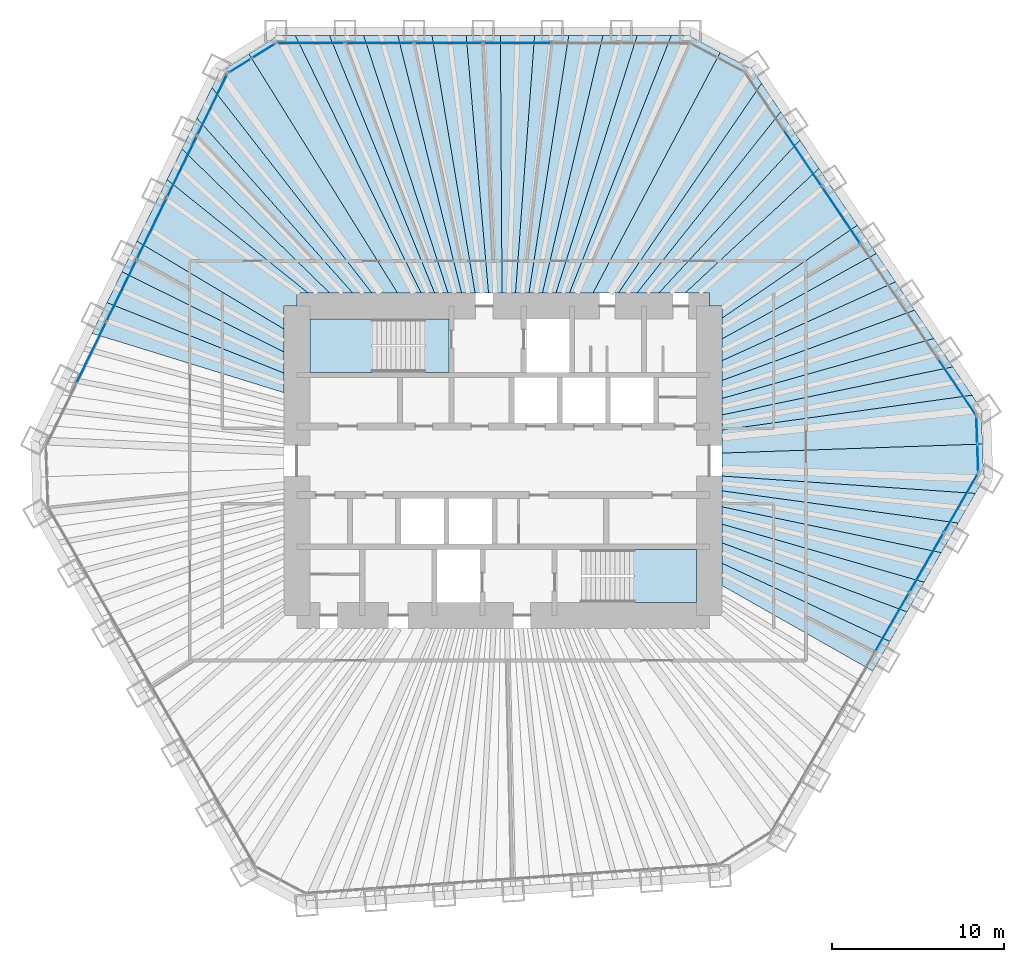
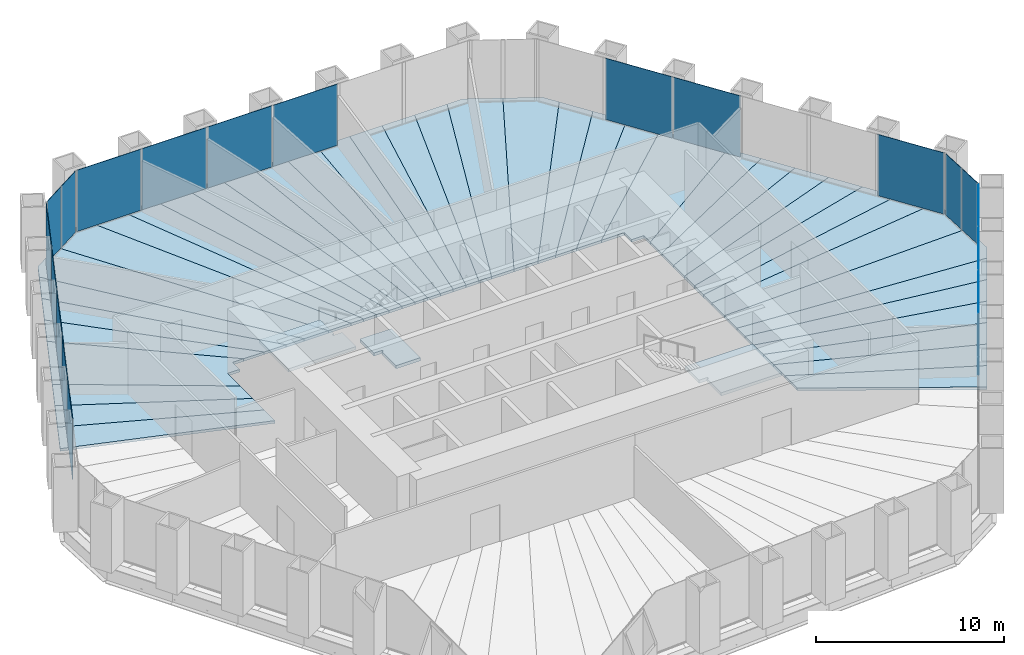
# One storey, part 9 of 13: 43 slabs, 19 plates, 8 elements without a shape of their own.
"""IFC4 building model written with IfcOpenShell, lengths in metres."""

import ifcopenshell
import ifcopenshell.guid

model = None  # the IFC model being written
_history = None  # IfcOwnerHistory: only IFC2X3 demands one
_inside = {}  # id of a spatial element -> (the spatial element, [elements in it])
_under = {}  # id of a project, library or spatial element -> (it, [spatial elements below it])
_declared = {}  # id of a project -> (the project, [libraries it declares])
_typed = {}  # id of a type object -> (the type object, [elements of that type])
_made_of = {}  # id of a material, layer set ... -> (it, [elements and type objects made of it])


def new_model(schema):
    """Start an empty IFC model of exactly this schema.

    Asked for "IFC4X3", IfcOpenShell would pick the latest addendum, in which some entities
    have other attributes; the version numbers below select the first issue.
    IFC2X3 requires an IfcOwnerHistory on every rooted entity: one is made here for all.
    """
    global model, _history
    if schema == "IFC4X3":
        model = ifcopenshell.file(schema_version=(4, 3, 0, 0))
    else:
        model = ifcopenshell.file(schema=schema)
    _inside.clear()
    _under.clear()
    _declared.clear()
    _typed.clear()
    _made_of.clear()
    _history = None
    if model.schema == "IFC2X3":
        org = make("IfcOrganization", Name="unknown")
        user = make(
            "IfcPersonAndOrganization",
            ThePerson=make("IfcPerson", FamilyName="unknown"),
            TheOrganization=org,
        )
        app = make(
            "IfcApplication",
            ApplicationDeveloper=org,
            Version="unknown",
            ApplicationFullName="unknown",
            ApplicationIdentifier="unknown",
        )
        _history = make(
            "IfcOwnerHistory",
            OwningUser=user,
            OwningApplication=app,
            ChangeAction="ADDED",
            CreationDate=0,
        )
    return model


def make(cls, **values):
    """One entity of the class cls with the attributes given. An attribute that is None is left unset."""
    return model.create_entity(
        cls, **{name: value for name, value in values.items() if value is not None}
    )


def rooted(cls, **values):
    """An entity with a GlobalId (a new one), such as an element, a storey or a relation."""
    return make(cls, GlobalId=ifcopenshell.guid.new(), OwnerHistory=_history, **values)


def si_unit(unit_type, name, prefix=None):
    """IfcSIUnit, for example si_unit("LENGTHUNIT", "METRE", prefix="MILLI")."""
    return make("IfcSIUnit", UnitType=unit_type, Prefix=prefix, Name=name)


def assignment(units):
    """IfcUnitAssignment: the units of a project."""
    return None if units is None else make("IfcUnitAssignment", Units=units)


def point(xyz):
    """IfcCartesianPoint."""
    return None if xyz is None else make("IfcCartesianPoint", Coordinates=xyz)


def direction(xyz):
    """IfcDirection."""
    return None if xyz is None else make("IfcDirection", DirectionRatios=xyz)


def frame(location, z_axis=None, x_axis=None):
    """IfcAxis2Placement3D, a coordinate frame: its origin and axes. An axis left out is left unset."""
    return make(
        "IfcAxis2Placement3D",
        Location=point(location),
        Axis=direction(z_axis),
        RefDirection=direction(x_axis),
    )


def frame_2d(location, x_axis=None):
    """IfcAxis2Placement2D, a coordinate frame in the plane: its origin and x axis."""
    return make(
        "IfcAxis2Placement2D", Location=point(location), RefDirection=direction(x_axis)
    )


def origin():
    """The frame at (0, 0, 0) with its axes left unset."""
    return frame((0.0, 0.0, 0.0))


def origin_2d():
    """The frame at (0, 0) in the plane with its x axis left unset."""
    return frame_2d((0.0, 0.0))


def place(relative_to, where):
    """IfcLocalPlacement: puts the frame where relative to a parent placement (None: the world)."""
    return make(
        "IfcLocalPlacement", PlacementRelTo=relative_to, RelativePlacement=where
    )


def context(
    kind, dimensions, precision=None, world=None, true_north=None, identifier=None
):
    """IfcGeometricRepresentationContext, for example the 3D "Model" context."""
    return make(
        "IfcGeometricRepresentationContext",
        ContextIdentifier=identifier,
        ContextType=kind,
        CoordinateSpaceDimension=dimensions,
        Precision=precision,
        WorldCoordinateSystem=world,
        TrueNorth=true_north,
    )


def subcontext(parent, identifier, kind, view, scale=None):
    """IfcGeometricRepresentationSubContext, for example "Body" below "Model"."""
    return make(
        "IfcGeometricRepresentationSubContext",
        ContextIdentifier=identifier,
        ContextType=kind,
        ParentContext=parent,
        TargetScale=scale,
        TargetView=view,
    )


def project(units=None, contexts=None):
    """IfcProject with its units and contexts."""
    return rooted(
        "IfcProject",
        Name="project",
        RepresentationContexts=contexts,
        UnitsInContext=assignment(units),
    )


def spatial(cls, under=None, at=None, **own):
    """A site, building, storey or space (cls), placed at a placement, below another one or the project."""
    s = rooted(cls, ObjectPlacement=at, **own)
    if under is not None:
        _under.setdefault(under.id(), (under, []))[1].append(s)
    return s


def polyline(points):
    """IfcPolyline through the points."""
    return make("IfcPolyline", Points=[point(p) for p in points])


def profile(cls, at=None, kind="AREA", **sizes):
    """A parametric profile (cls). Its sizes go by their IFC names, for example OverallWidth=200.0."""
    return make(cls, ProfileType=kind, Position=at, **sizes)


def rectangle(**sizes):
    """IfcRectangleProfileDef."""
    return profile("IfcRectangleProfileDef", **sizes)


def outline(outer, holes=None, kind="AREA"):
    """IfcArbitraryClosedProfileDef: a profile drawn as a closed curve; with holes, ...WithVoids."""
    if holes is None:
        return make("IfcArbitraryClosedProfileDef", ProfileType=kind, OuterCurve=outer)
    return make(
        "IfcArbitraryProfileDefWithVoids",
        ProfileType=kind,
        OuterCurve=outer,
        InnerCurves=holes,
    )


def extrude(swept, where, along, depth):
    """IfcExtrudedAreaSolid: the profile swept, set in the frame where, extruded along a direction by depth."""
    return make(
        "IfcExtrudedAreaSolid",
        SweptArea=swept,
        Position=where,
        ExtrudedDirection=direction(along),
        Depth=depth,
    )


def shape(context_of_items, identifier, shape_type, items):
    """IfcShapeRepresentation: the items that make up one representation, for example the "Body"."""
    return make(
        "IfcShapeRepresentation",
        ContextOfItems=context_of_items,
        RepresentationIdentifier=identifier,
        RepresentationType=shape_type,
        Items=items,
    )


def material(Name=None, Category=None):
    """IfcMaterial."""
    return make("IfcMaterial", Name=Name, Category=Category)


def layer(
    of_material, thickness, ventilated=None, Name=None, Category=None, Priority=None
):
    """IfcMaterialLayer: one layer of a wall or slab, of a material (None: an air gap)."""
    return make(
        "IfcMaterialLayer",
        Material=of_material,
        LayerThickness=thickness,
        IsVentilated=ventilated,
        Name=Name,
        Category=Category,
        Priority=Priority,
    )


def layer_set(layers, Name=None):
    """IfcMaterialLayerSet."""
    return make("IfcMaterialLayerSet", MaterialLayers=layers, LayerSetName=Name)


def made_of(thing, what):
    """Note that an element or type object is made of a material, layer set ...; save() writes the relation."""
    if what is not None:
        _made_of.setdefault(what.id(), (what, []))[1].append(thing)
    return thing


def type_object(cls, material=None, **own):
    """A type object (cls), such as IfcWallType, which elements share."""
    return made_of(rooted(cls, **own), material)


def element(
    cls,
    number,
    at=None,
    inside=None,
    cuts=None,
    type_object=None,
    material=None,
    context=None,
    identifier="Body",
    shape_type=None,
    held_by="IfcProductDefinitionShape",
    body=None,
    shapes=None,
    **own,
):
    """One element of the class cls, such as IfcWall. Its Tag is "e" and its number.

    at: its placement. inside: the storey or other place that contains it. cuts: it is an
    opening in that element (IfcRelVoidsElement). A single representation is given by context,
    identifier, shape_type and body (its items); several are given by shapes. held_by: the class
    of the entity that holds the representations. save() writes the other relations.
    """
    e = rooted(cls, Tag="e%d" % number, ObjectPlacement=at, **own)
    if body is not None:
        shapes = [shape(context, identifier, shape_type, body)]
    if shapes is not None:
        e.Representation = make(held_by, Representations=shapes)
    if inside is not None:
        _inside.setdefault(inside.id(), (inside, []))[1].append(e)
    if cuts is not None:
        rooted(
            "IfcRelVoidsElement", RelatingBuildingElement=cuts, RelatedOpeningElement=e
        )
    if type_object is not None:
        _typed.setdefault(type_object.id(), (type_object, []))[1].append(e)
    return made_of(e, material)


def aggregate(whole, parts):
    """IfcRelAggregates: a whole, such as a stair, and the parts it consists of."""
    return rooted("IfcRelAggregates", RelatingObject=whole, RelatedObjects=parts)


def save(model, path):
    """Write the relations noted so far, then the file.

    IfcRelAggregates (storeys below a building ...), IfcRelContainedInSpatialStructure (elements
    in a storey), IfcRelDefinesByType, IfcRelAssociatesMaterial and IfcRelDeclares: one each for
    every whole, place, type object, material and project.
    """
    for whole, parts in _under.values():
        aggregate(whole, parts)
    for where, things in _inside.values():
        rooted(
            "IfcRelContainedInSpatialStructure",
            RelatedElements=things,
            RelatingStructure=where,
        )
    for kind, things in _typed.values():
        rooted("IfcRelDefinesByType", RelatedObjects=things, RelatingType=kind)
    for what, things in _made_of.values():
        rooted("IfcRelAssociatesMaterial", RelatedObjects=things, RelatingMaterial=what)
    for by, libraries in _declared.values():
        rooted("IfcRelDeclares", RelatingContext=by, RelatedDefinitions=libraries)
    model.write(path)


model = new_model("IFC4")

# Units and contexts
model_context = context("Model", 3, precision=1e-05, world=origin(), true_north=direction((0.0, 1.0)))
body_context = subcontext(model_context, "Body", "Model", "MODEL_VIEW")
ifc_project = project(units=[si_unit("LENGTHUNIT", "METRE"), si_unit("AREAUNIT", "SQUARE_METRE"), si_unit("VOLUMEUNIT", "CUBIC_METRE"), si_unit("PLANEANGLEUNIT", "RADIAN"), si_unit("MASSUNIT", "GRAM", prefix="KILO")], contexts=[model_context])

# Site, building, storey
site_placement = place(None, origin())
site = spatial("IfcSite", under=ifc_project, at=site_placement, CompositionType="ELEMENT")
building_placement = place(site_placement, origin())
building = spatial("IfcBuilding", under=site, at=building_placement, Name="Qingtian Harvest Tower", CompositionType="ELEMENT")
storey_placement = place(building_placement, frame((0.0, 0.0, 136.60009765625)))
storey = spatial("IfcBuildingStorey", under=building, at=storey_placement, Name="L28", CompositionType="ELEMENT", Elevation=136.60009765625)

# Slabs
ifc_material_1 = material(Name="Concrete fc' 35 MPa", Category="concrete")
ifc_layer_1 = layer(ifc_material_1, 0.169921875)
ifc_layer_set_1 = layer_set([ifc_layer_1], Name="Composite floor slab FS17 170")
slab_type_1 = type_object("IfcSlabType", Name="Composite floor slab FS17 170", PredefinedType="FLOOR", material=ifc_layer_set_1)
slab_1_placement = place(storey_placement, frame((0.0, 0.0, -0.170166015625)))
element("IfcSlab", 1, at=slab_1_placement, inside=storey, type_object=slab_type_1, Name="Floor slab L28 panel D33", PredefinedType="FLOOR", context=body_context, shape_type="SweptSolid", body=[
    extrude(outline(polyline([(12.75, -5.97021484375), (22.51220703125, -10.517578125), (21.517333984375, -12.24072265625), (12.75, -7.268798828125), (12.75, -5.97021484375)])), origin(), (0.0, 0.0, 1.0), 0.170166015625),
])
slab_2_placement = place(storey_placement, frame((0.0, 0.0, -0.170166015625)))
element("IfcSlab", 2, at=slab_2_placement, inside=storey, type_object=slab_type_1, Name="Floor slab L28 panel D34", PredefinedType="FLOOR", context=body_context, shape_type="SweptSolid", body=[
    extrude(outline(polyline([(12.75, -4.78173828125), (23.50732421875, -8.794189453125), (22.51220703125, -10.517578125), (12.75, -5.97021484375), (12.75, -4.78173828125)])), origin(), (0.0, 0.0, 1.0), 0.170166015625),
])
slab_3_placement = place(storey_placement, frame((0.0, 0.0, -0.170166015625)))
element("IfcSlab", 3, at=slab_3_placement, inside=storey, type_object=slab_type_1, Name="Floor slab L28 panel D35", PredefinedType="FLOOR", context=body_context, shape_type="SweptSolid", body=[
    extrude(outline(polyline([(12.75, -3.68994140625), (24.502197265625, -7.071044921875), (23.50732421875, -8.794189453125), (12.75, -4.78173828125), (12.75, -3.68994140625)])), origin(), (0.0, 0.0, 1.0), 0.170166015625),
])
slab_4_placement = place(storey_placement, frame((0.0, 0.0, -0.170166015625)))
element("IfcSlab", 4, at=slab_4_placement, inside=storey, type_object=slab_type_1, Name="Floor slab L28 panel D36", PredefinedType="FLOOR", context=body_context, shape_type="SweptSolid", body=[
    extrude(outline(polyline([(12.75, -2.683349609375), (25.4970703125, -5.34765625), (24.502197265625, -7.071044921875), (12.75, -3.68994140625), (12.75, -2.683349609375)])), origin(), (0.0, 0.0, 1.0), 0.170166015625),
])
slab_5_placement = place(storey_placement, frame((0.0, 0.0, -0.170166015625)))
element("IfcSlab", 5, at=slab_5_placement, inside=storey, type_object=slab_type_1, Name="Floor slab L28 panel D37", PredefinedType="FLOOR", context=body_context, shape_type="SweptSolid", body=[
    extrude(outline(polyline([(12.75, -1.752685546875), (26.4921875, -3.624267578125), (25.4970703125, -5.34765625), (12.75, -2.683349609375), (12.75, -1.752685546875)])), origin(), (0.0, 0.0, 1.0), 0.170166015625),
])
slab_6_placement = place(storey_placement, frame((0.0, 0.0, -0.170166015625)))
element("IfcSlab", 6, at=slab_6_placement, inside=storey, type_object=slab_type_1, Name="Floor slab L28 panel D38", PredefinedType="FLOOR", context=body_context, shape_type="SweptSolid", body=[
    extrude(outline(polyline([(12.75, -0.889404296875), (27.487060546875, -1.901123046875), (26.4921875, -3.624267578125), (12.75, -1.752685546875), (12.75, -0.889404296875)])), origin(), (0.0, 0.0, 1.0), 0.170166015625),
])
slab_7_placement = place(storey_placement, frame((0.0, 0.0, -0.170166015625)))
element("IfcSlab", 7, at=slab_7_placement, inside=storey, type_object=slab_type_1, Name="Floor slab L28 panel D39", PredefinedType="FLOOR", context=body_context, shape_type="SweptSolid", body=[
    extrude(outline(polyline([(12.75, -0.889404296875), (12.75, 0.447509765625), (27.90185546875, 0.974365234375), (27.972900390625, -1.059814453125), (27.487060546875, -1.901123046875), (12.75, -0.889404296875)])), origin(), (0.0, 0.0, 1.0), 0.170166015625),
])
slab_8_placement = place(storey_placement, frame((0.0, 0.0, -0.170166015625)))
element("IfcSlab", 8, at=slab_8_placement, inside=storey, type_object=slab_type_1, Name="Floor slab L28 panel D40", PredefinedType="FLOOR", context=body_context, shape_type="SweptSolid", body=[
    extrude(outline(polyline([(12.75, 0.447509765625), (12.75, 1.79052734375), (27.287353515625, 3.81396484375), (27.830810546875, 3.008544921875), (27.90185546875, 0.974365234375), (12.75, 0.447509765625)])), origin(), (0.0, 0.0, 1.0), 0.170166015625),
])
slab_9_placement = place(storey_placement, frame((0.0, 0.0, -0.170166015625)))
element("IfcSlab", 9, at=slab_9_placement, inside=storey, type_object=slab_type_1, Name="Floor slab L28 panel D41", PredefinedType="FLOOR", context=body_context, shape_type="SweptSolid", body=[
    extrude(outline(polyline([(12.75, 2.671142578125), (26.1748046875, 5.463623046875), (27.287353515625, 3.81396484375), (12.75, 1.79052734375), (12.75, 2.671142578125)])), origin(), (0.0, 0.0, 1.0), 0.170166015625),
])
slab_10_placement = place(storey_placement, frame((0.0, 0.0, -0.170166015625)))
element("IfcSlab", 10, at=slab_10_placement, inside=storey, type_object=slab_type_1, Name="Floor slab L28 panel D42", PredefinedType="FLOOR", context=body_context, shape_type="SweptSolid", body=[
    extrude(outline(polyline([(12.75, 3.6298828125), (25.06201171875, 7.11328125), (26.1748046875, 5.463623046875), (12.75, 2.671142578125), (12.75, 3.6298828125)])), origin(), (0.0, 0.0, 1.0), 0.170166015625),
])
slab_11_placement = place(storey_placement, frame((0.0, 0.0, -0.170166015625)))
element("IfcSlab", 11, at=slab_11_placement, inside=storey, type_object=slab_type_1, Name="Floor slab L28 panel D43", PredefinedType="FLOOR", context=body_context, shape_type="SweptSolid", body=[
    extrude(outline(polyline([(12.75, 4.677734375), (23.94921875, 8.762939453125), (25.06201171875, 7.11328125), (12.75, 3.6298828125), (12.75, 4.677734375)])), origin(), (0.0, 0.0, 1.0), 0.170166015625),
])
slab_12_placement = place(storey_placement, frame((0.0, 0.0, -0.170166015625)))
element("IfcSlab", 12, at=slab_12_placement, inside=storey, type_object=slab_type_1, Name="Floor slab L28 panel D44", PredefinedType="FLOOR", context=body_context, shape_type="SweptSolid", body=[
    extrude(outline(polyline([(12.75, 5.828125), (22.83642578125, 10.41259765625), (23.94921875, 8.762939453125), (12.75, 4.677734375), (12.75, 5.828125)])), origin(), (0.0, 0.0, 1.0), 0.170166015625),
])
slab_13_placement = place(storey_placement, frame((0.0, 0.0, -0.170166015625)))
element("IfcSlab", 13, at=slab_13_placement, inside=storey, type_object=slab_type_1, Name="Floor slab L28 panel D45", PredefinedType="FLOOR", context=body_context, shape_type="SweptSolid", body=[
    extrude(outline(polyline([(12.75, 7.096435546875), (21.723876953125, 12.062255859375), (22.83642578125, 10.41259765625), (12.75, 5.828125), (12.75, 7.096435546875)])), origin(), (0.0, 0.0, 1.0), 0.170166015625),
])
slab_14_placement = place(storey_placement, frame((0.0, 0.0, -0.170166015625)))
element("IfcSlab", 14, at=slab_14_placement, inside=storey, type_object=slab_type_1, Name="Floor slab L28 panel D46", PredefinedType="FLOOR", context=body_context, shape_type="SweptSolid", body=[
    extrude(outline(polyline([(12.75, 8.30615234375), (20.61328125, 13.708740234375), (21.723876953125, 12.062255859375), (12.75, 7.096435546875), (12.75, 8.30615234375)])), origin(), (0.0, 0.0, 1.0), 0.170166015625),
])
slab_15_placement = place(storey_placement, frame((0.0, 0.0, -0.170166015625)))
element("IfcSlab", 15, at=slab_15_placement, inside=storey, type_object=slab_type_1, Name="Floor slab L28 panel D48", PredefinedType="FLOOR", context=body_context, shape_type="SweptSolid", body=[
    extrude(outline(polyline([(18.38623046875, 17.010498046875), (20.61328125, 13.708740234375), (12.75, 8.30615234375), (12.75, 9.0), (12.0, 9.0), (12.0, 9.75), (10.578369140625, 9.75), (18.38623046875, 17.010498046875)])), origin(), (0.0, 0.0, 1.0), 0.170166015625),
])
slab_16_placement = place(storey_placement, frame((0.0, 0.0, -0.170166015625)))
element("IfcSlab", 16, at=slab_16_placement, inside=storey, type_object=slab_type_1, Name="Floor slab L28 panel D49", PredefinedType="FLOOR", context=body_context, shape_type="SweptSolid", body=[
    extrude(outline(polyline([(9.0556640625, 9.75), (17.2734375, 18.66015625), (18.38623046875, 17.010498046875), (10.578369140625, 9.75), (9.0556640625, 9.75)])), origin(), (0.0, 0.0, 1.0), 0.170166015625),
])
slab_17_placement = place(storey_placement, frame((0.0, 0.0, -0.170166015625)))
element("IfcSlab", 17, at=slab_17_placement, inside=storey, type_object=slab_type_1, Name="Floor slab L28 panel D50", PredefinedType="FLOOR", context=body_context, shape_type="SweptSolid", body=[
    extrude(outline(polyline([(7.781494140625, 9.75), (16.16064453125, 20.31005859375), (17.2734375, 18.66015625), (9.0556640625, 9.75), (7.781494140625, 9.75)])), origin(), (0.0, 0.0, 1.0), 0.170166015625),
])
slab_18_placement = place(storey_placement, frame((0.0, 0.0, -0.170166015625)))
element("IfcSlab", 18, at=slab_18_placement, inside=storey, type_object=slab_type_1, Name="Floor slab L28 panel D51", PredefinedType="FLOOR", context=body_context, shape_type="SweptSolid", body=[
    extrude(outline(polyline([(6.69970703125, 9.75), (15.0478515625, 21.959716796875), (16.16064453125, 20.31005859375), (7.781494140625, 9.75), (6.69970703125, 9.75)])), origin(), (0.0, 0.0, 1.0), 0.170166015625),
])
slab_19_placement = place(storey_placement, frame((0.0, 0.0, -0.170166015625)))
element("IfcSlab", 19, at=slab_19_placement, inside=storey, type_object=slab_type_1, Name="Floor slab L28 panel D52", PredefinedType="FLOOR", context=body_context, shape_type="SweptSolid", body=[
    extrude(outline(polyline([(6.69970703125, 9.75), (5.224609375, 9.75), (12.634033203125, 23.759765625), (14.504638671875, 22.765380859375), (15.0478515625, 21.959716796875), (6.69970703125, 9.75)])), origin(), (0.0, 0.0, 1.0), 0.170166015625),
])
slab_20_placement = place(storey_placement, frame((0.0, 0.0, -0.170166015625)))
element("IfcSlab", 20, at=slab_20_placement, inside=storey, type_object=slab_type_1, Name="Floor slab L28 panel D53", PredefinedType="FLOOR", context=body_context, shape_type="SweptSolid", body=[
    extrude(outline(polyline([(3.856201171875, 9.75), (9.791015625, 24.7548828125), (10.762451171875, 24.7548828125), (12.634033203125, 23.759765625), (5.224609375, 9.75), (3.856201171875, 9.75)])), origin(), (0.0, 0.0, 1.0), 0.170166015625),
])
slab_21_placement = place(storey_placement, frame((0.0, 0.0, -0.170166015625)))
element("IfcSlab", 21, at=slab_21_placement, inside=storey, type_object=slab_type_1, Name="Floor slab L28 panel D54", PredefinedType="FLOOR", context=body_context, shape_type="SweptSolid", body=[
    extrude(outline(polyline([(3.072509765625, 9.75), (7.80126953125, 24.7548828125), (9.791015625, 24.7548828125), (3.856201171875, 9.75), (3.072509765625, 9.75)])), origin(), (0.0, 0.0, 1.0), 0.170166015625),
])
slab_22_placement = place(storey_placement, frame((0.0, 0.0, -0.170166015625)))
element("IfcSlab", 22, at=slab_22_placement, inside=storey, type_object=slab_type_1, Name="Floor slab L28 panel D55", PredefinedType="FLOOR", context=body_context, shape_type="SweptSolid", body=[
    extrude(outline(polyline([(2.288818359375, 9.75), (5.811279296875, 24.7548828125), (7.80126953125, 24.7548828125), (3.072509765625, 9.75), (2.288818359375, 9.75)])), origin(), (0.0, 0.0, 1.0), 0.170166015625),
])
slab_23_placement = place(storey_placement, frame((0.0, 0.0, -0.170166015625)))
element("IfcSlab", 23, at=slab_23_placement, inside=storey, type_object=slab_type_1, Name="Floor slab L28 panel D56", PredefinedType="FLOOR", context=body_context, shape_type="SweptSolid", body=[
    extrude(outline(polyline([(1.505126953125, 9.75), (3.821533203125, 24.7548828125), (5.811279296875, 24.7548828125), (2.288818359375, 9.75), (1.505126953125, 9.75)])), origin(), (0.0, 0.0, 1.0), 0.170166015625),
])
slab_24_placement = place(storey_placement, frame((0.0, 0.0, -0.170166015625)))
element("IfcSlab", 24, at=slab_24_placement, inside=storey, type_object=slab_type_1, Name="Floor slab L28 panel D57", PredefinedType="FLOOR", context=body_context, shape_type="SweptSolid", body=[
    extrude(outline(polyline([(0.721435546875, 9.75), (1.831787109375, 24.7548828125), (3.821533203125, 24.7548828125), (1.505126953125, 9.75), (0.721435546875, 9.75)])), origin(), (0.0, 0.0, 1.0), 0.170166015625),
])
slab_25_placement = place(storey_placement, frame((0.0, 0.0, -0.170166015625)))
element("IfcSlab", 25, at=slab_25_placement, inside=storey, type_object=slab_type_1, Name="Floor slab L28 panel D58", PredefinedType="FLOOR", context=body_context, shape_type="SweptSolid", body=[
    extrude(outline(polyline([(-0.062255859375, 9.75), (-0.158203125, 24.7548828125), (1.831787109375, 24.7548828125), (0.721435546875, 9.75), (-0.062255859375, 9.75)])), origin(), (0.0, 0.0, 1.0), 0.170166015625),
])
slab_26_placement = place(storey_placement, frame((0.0, 0.0, -0.170166015625)))
element("IfcSlab", 26, at=slab_26_placement, inside=storey, type_object=slab_type_1, Name="Floor slab L28 panel D59", PredefinedType="FLOOR", context=body_context, shape_type="SweptSolid", body=[
    extrude(outline(polyline([(-0.845947265625, 9.75), (-2.14794921875, 24.7548828125), (-0.158203125, 24.7548828125), (-0.062255859375, 9.75), (-0.845947265625, 9.75)])), origin(), (0.0, 0.0, 1.0), 0.170166015625),
])
slab_27_placement = place(storey_placement, frame((0.0, 0.0, -0.170166015625)))
element("IfcSlab", 27, at=slab_27_placement, inside=storey, type_object=slab_type_1, Name="Floor slab L28 panel D60", PredefinedType="FLOOR", context=body_context, shape_type="SweptSolid", body=[
    extrude(outline(polyline([(-1.629638671875, 9.75), (-4.137939453125, 24.7548828125), (-2.14794921875, 24.7548828125), (-0.845947265625, 9.75), (-1.629638671875, 9.75)])), origin(), (0.0, 0.0, 1.0), 0.170166015625),
])
slab_28_placement = place(storey_placement, frame((0.0, 0.0, -0.170166015625)))
element("IfcSlab", 28, at=slab_28_placement, inside=storey, type_object=slab_type_1, Name="Floor slab L28 panel D61", PredefinedType="FLOOR", context=body_context, shape_type="SweptSolid", body=[
    extrude(outline(polyline([(-2.41357421875, 9.75), (-6.127685546875, 24.7548828125), (-4.137939453125, 24.7548828125), (-1.629638671875, 9.75), (-2.41357421875, 9.75)])), origin(), (0.0, 0.0, 1.0), 0.170166015625),
])
slab_29_placement = place(storey_placement, frame((0.0, 0.0, -0.170166015625)))
element("IfcSlab", 29, at=slab_29_placement, inside=storey, type_object=slab_type_1, Name="Floor slab L28 panel D62", PredefinedType="FLOOR", context=body_context, shape_type="SweptSolid", body=[
    extrude(outline(polyline([(-3.197265625, 9.75), (-8.117431640625, 24.7548828125), (-6.127685546875, 24.7548828125), (-2.41357421875, 9.75), (-3.197265625, 9.75)])), origin(), (0.0, 0.0, 1.0), 0.170166015625),
])
slab_30_placement = place(storey_placement, frame((0.0, 0.0, -0.170166015625)))
element("IfcSlab", 30, at=slab_30_placement, inside=storey, type_object=slab_type_1, Name="Floor slab L28 panel D63", PredefinedType="FLOOR", context=body_context, shape_type="SweptSolid", body=[
    extrude(outline(polyline([(-3.98095703125, 9.75), (-10.107421875, 24.7548828125), (-8.117431640625, 24.7548828125), (-3.197265625, 9.75), (-3.98095703125, 9.75)])), origin(), (0.0, 0.0, 1.0), 0.170166015625),
])
slab_31_placement = place(storey_placement, frame((0.0, 0.0, -0.170166015625)))
element("IfcSlab", 31, at=slab_31_placement, inside=storey, type_object=slab_type_1, Name="Floor slab L28 panel D64", PredefinedType="FLOOR", context=body_context, shape_type="SweptSolid", body=[
    extrude(outline(polyline([(-4.7646484375, 9.75), (-12.09716796875, 24.7548828125), (-10.107421875, 24.7548828125), (-3.98095703125, 9.75), (-4.7646484375, 9.75)])), origin(), (0.0, 0.0, 1.0), 0.170166015625),
])
slab_32_placement = place(storey_placement, frame((0.0, 0.0, -0.170166015625)))
element("IfcSlab", 32, at=slab_32_placement, inside=storey, type_object=slab_type_1, Name="Floor slab L28 panel D65", PredefinedType="FLOOR", context=body_context, shape_type="SweptSolid", body=[
    extrude(outline(polyline([(-4.7646484375, 9.75), (-6.13671875, 9.75), (-14.795166015625, 23.676025390625), (-13.068603515625, 24.7548828125), (-12.09716796875, 24.7548828125), (-4.7646484375, 9.75)])), origin(), (0.0, 0.0, 1.0), 0.170166015625),
])
slab_33_placement = place(storey_placement, frame((0.0, 0.0, -0.170166015625)))
element("IfcSlab", 33, at=slab_33_placement, inside=storey, type_object=slab_type_1, Name="Floor slab L28 panel D66", PredefinedType="FLOOR", context=body_context, shape_type="SweptSolid", body=[
    extrude(outline(polyline([(-6.13671875, 9.75), (-7.62646484375, 9.75), (-16.94677734375, 21.724609375), (-16.520751953125, 22.597900390625), (-14.795166015625, 23.676025390625), (-6.13671875, 9.75)])), origin(), (0.0, 0.0, 1.0), 0.170166015625),
])
slab_34_placement = place(storey_placement, frame((0.0, 0.0, -0.170166015625)))
element("IfcSlab", 34, at=slab_34_placement, inside=storey, type_object=slab_type_1, Name="Floor slab L28 panel D67", PredefinedType="FLOOR", context=body_context, shape_type="SweptSolid", body=[
    extrude(outline(polyline([(-8.74169921875, 9.75), (-17.819091796875, 19.93603515625), (-16.94677734375, 21.724609375), (-7.62646484375, 9.75), (-8.74169921875, 9.75)])), origin(), (0.0, 0.0, 1.0), 0.170166015625),
])
slab_35_placement = place(storey_placement, frame((0.0, 0.0, -0.170166015625)))
element("IfcSlab", 35, at=slab_35_placement, inside=storey, type_object=slab_type_1, Name="Floor slab L28 panel D68", PredefinedType="FLOOR", context=body_context, shape_type="SweptSolid", body=[
    extrude(outline(polyline([(-10.077880859375, 9.75), (-18.69140625, 18.1474609375), (-17.819091796875, 19.93603515625), (-8.74169921875, 9.75), (-10.077880859375, 9.75)])), origin(), (0.0, 0.0, 1.0), 0.170166015625),
])
slab_36_placement = place(storey_placement, frame((0.0, 0.0, -0.170166015625)))
element("IfcSlab", 36, at=slab_36_placement, inside=storey, type_object=slab_type_1, Name="Floor slab L28 panel D69", PredefinedType="FLOOR", context=body_context, shape_type="SweptSolid", body=[
    extrude(outline(polyline([(-11.329345703125, 9.75), (-19.561279296875, 16.364013671875), (-18.69140625, 18.1474609375), (-10.077880859375, 9.75), (-11.329345703125, 9.75)])), origin(), (0.0, 0.0, 1.0), 0.170166015625),
])
slab_37_placement = place(storey_placement, frame((0.0, 0.0, -0.170166015625)))
element("IfcSlab", 37, at=slab_37_placement, inside=storey, type_object=slab_type_1, Name="Floor slab L28 panel D70", PredefinedType="FLOOR", context=body_context, shape_type="SweptSolid", body=[
    extrude(outline(polyline([(-12.0, 9.0), (-12.75, 9.0), (-12.75, 7.662841796875), (-21.307861328125, 12.78271484375), (-19.561279296875, 16.364013671875), (-11.329345703125, 9.75), (-12.0, 9.75), (-12.0, 9.0)])), origin(), (0.0, 0.0, 1.0), 0.170166015625),
])
slab_38_placement = place(storey_placement, frame((0.0, 0.0, -0.170166015625)))
element("IfcSlab", 38, at=slab_38_placement, inside=storey, type_object=slab_type_1, Name="Floor slab L28 panel D72", PredefinedType="FLOOR", context=body_context, shape_type="SweptSolid", body=[
    extrude(outline(polyline([(-12.75, 6.332275390625), (-22.18017578125, 10.994384765625), (-21.307861328125, 12.78271484375), (-12.75, 7.662841796875), (-12.75, 6.332275390625)])), origin(), (0.0, 0.0, 1.0), 0.170166015625),
])
slab_39_placement = place(storey_placement, frame((0.0, 0.0, -0.170166015625)))
element("IfcSlab", 39, at=slab_39_placement, inside=storey, type_object=slab_type_1, Name="Floor slab L28 panel D73", PredefinedType="FLOOR", context=body_context, shape_type="SweptSolid", body=[
    extrude(outline(polyline([(-12.75, 5.1025390625), (-23.052490234375, 9.205810546875), (-22.18017578125, 10.994384765625), (-12.75, 6.332275390625), (-12.75, 5.1025390625)])), origin(), (0.0, 0.0, 1.0), 0.170166015625),
])
slab_40_placement = place(storey_placement, frame((0.0, 0.0, -0.170166015625)))
element("IfcSlab", 40, at=slab_40_placement, inside=storey, type_object=slab_type_1, Name="Floor slab L28 panel D74", PredefinedType="FLOOR", context=body_context, shape_type="SweptSolid", body=[
    extrude(outline(polyline([(-12.75, 3.962646484375), (-23.9248046875, 7.417236328125), (-23.052490234375, 9.205810546875), (-12.75, 5.1025390625), (-12.75, 3.962646484375)])), origin(), (0.0, 0.0, 1.0), 0.170166015625),
])

# Curtain wall, plates
ifc_material_2 = material(Name="Bronze-anodised aluminium curtain wall", Category="aluminium")
curtain_wall_type = type_object("IfcCurtainWallType", Name="Curtain wall CW4 office", PredefinedType="USERDEFINED", material=ifc_material_2)
curtain_wall_1_placement = place(storey_placement, origin())
curtain_wall_1 = element("IfcCurtainWall", 41, at=curtain_wall_1_placement, inside=storey, type_object=curtain_wall_type, Name="Curtain wall CW4 L28 N0-5", ObjectType="RECESSED CURTAIN WALL", PredefinedType="USERDEFINED")
ifc_material_3 = material(Name="Bronze-tinted laminated insulating glass", Category="glass")
ifc_layer_2 = layer(ifc_material_3, 0.030029296875)
ifc_layer_set_2 = layer_set([ifc_layer_2], Name="Glazed panel CWP tinted IGU")
plate_type = type_object("IfcPlateType", Name="Glazed panel CWP tinted IGU", PredefinedType="CURTAIN_PANEL", material=ifc_layer_set_2)
plate_1_placement = place(storey_placement, frame((-11.196044921875, 24.300048828125, 0.06494140625), z_axis=(0.0, 0.0, 1.0), x_axis=(1.0, 0.0, 0.0)))
plate_1 = element("IfcPlate", 42, at=plate_1_placement, type_object=plate_type, Name="CW4 panel 1.1", PredefinedType="CURTAIN_PANEL", context=body_context, shape_type="SweptSolid", body=[
    extrude(rectangle(XDim=3.921630859375, YDim=0.030029296875, at=origin_2d()), origin(), (0.0, 0.0, 1.0), 3.965087890625),
])
plate_2_placement = place(storey_placement, frame((-7.193115234375, 24.300048828125, 0.06494140625), z_axis=(0.0, 0.0, 1.0), x_axis=(1.0, 0.0, 0.0)))
plate_2 = element("IfcPlate", 43, at=plate_2_placement, type_object=plate_type, Name="CW4 panel 2.1", PredefinedType="CURTAIN_PANEL", context=body_context, shape_type="SweptSolid", body=[
    extrude(rectangle(XDim=3.9541015625, YDim=0.030029296875, at=origin_2d()), origin(), (0.0, 0.0, 1.0), 3.965087890625),
])
plate_3_placement = place(storey_placement, frame((-3.174072265625, 24.300048828125, 0.06494140625), z_axis=(0.0, 0.0, 1.0), x_axis=(1.0, 0.0, 0.0)))
plate_3 = element("IfcPlate", 44, at=plate_3_placement, type_object=plate_type, Name="CW4 panel 3.1", PredefinedType="CURTAIN_PANEL", context=body_context, shape_type="SweptSolid", body=[
    extrude(rectangle(XDim=3.9541015625, YDim=0.030029296875, at=origin_2d()), origin(), (0.0, 0.0, 1.0), 3.965087890625),
])
plate_4_placement = place(storey_placement, frame((0.844970703125, 24.300048828125, 0.06494140625), z_axis=(0.0, 0.0, 1.0), x_axis=(1.0, 0.0, 0.0)))
plate_4 = element("IfcPlate", 45, at=plate_4_placement, type_object=plate_type, Name="CW4 panel 4.1", PredefinedType="CURTAIN_PANEL", context=body_context, shape_type="SweptSolid", body=[
    extrude(rectangle(XDim=3.9541015625, YDim=0.030029296875, at=origin_2d()), origin(), (0.0, 0.0, 1.0), 3.965087890625),
])
aggregate(curtain_wall_1, [plate_1, plate_2, plate_3, plate_4])

curtain_wall_2_placement = place(storey_placement, origin())
curtain_wall_2 = element("IfcCurtainWall", 46, at=curtain_wall_2_placement, inside=storey, type_object=curtain_wall_type, Name="Curtain wall CW4 L28 NE0-5", ObjectType="RECESSED CURTAIN WALL", PredefinedType="USERDEFINED")
plate_5_placement = place(storey_placement, frame((17.425537109375, 17.620849609375, 0.06494140625), z_axis=(0.0, 0.0, 1.0), x_axis=(0.559192903471, -0.829037572555, 0.0)))
plate_5 = element("IfcPlate", 47, at=plate_5_placement, type_object=plate_type, Name="CW4 panel 2.1", PredefinedType="CURTAIN_PANEL", context=body_context, shape_type="SweptSolid", body=[
    extrude(rectangle(XDim=3.9541015625, YDim=0.030029296875, at=origin_2d()), origin(), (0.0, 0.0, 1.0), 3.965087890625),
])
plate_6_placement = place(storey_placement, frame((19.673095703125, 14.2890625, 0.06494140625), z_axis=(0.0, 0.0, 1.0), x_axis=(0.559192903471, -0.829037572555, 0.0)))
plate_6 = element("IfcPlate", 48, at=plate_6_placement, type_object=plate_type, Name="CW4 panel 3.1", PredefinedType="CURTAIN_PANEL", context=body_context, shape_type="SweptSolid", body=[
    extrude(rectangle(XDim=3.9541015625, YDim=0.030029296875, at=origin_2d()), origin(), (0.0, 0.0, 1.0), 3.965087890625),
])
plate_7_placement = place(storey_placement, frame((26.40625, 4.306640625, 0.06494140625), z_axis=(0.0, 0.0, 1.0), x_axis=(0.559192903471, -0.829037572555, 0.0)))
plate_7 = element("IfcPlate", 49, at=plate_7_placement, type_object=plate_type, Name="CW4 panel 6.1", PredefinedType="CURTAIN_PANEL", context=body_context, shape_type="SweptSolid", body=[
    extrude(rectangle(XDim=3.921630859375, YDim=0.030029296875, at=origin_2d()), origin(), (0.0, 0.0, 1.0), 3.965087890625),
])
aggregate(curtain_wall_2, [plate_5, plate_6, plate_7])

curtain_wall_3_placement = place(storey_placement, origin())
curtain_wall_3 = element("IfcCurtainWall", 50, at=curtain_wall_3_placement, inside=storey, type_object=curtain_wall_type, Name="Curtain wall CW4 L28 NEC", ObjectType="RECESSED CURTAIN WALL", PredefinedType="USERDEFINED")
plate_8_placement = place(storey_placement, frame((27.568603515625, 1.779052734375, 0.06494140625), z_axis=(0.0, 0.0, 1.0), x_axis=(0.034899496703, -0.999390827019, 0.0)))
plate_8 = element("IfcPlate", 51, at=plate_8_placement, type_object=plate_type, Name="CW4 panel 1.1", PredefinedType="CURTAIN_PANEL", context=body_context, shape_type="SweptSolid", body=[
    extrude(rectangle(XDim=1.56689453125, YDim=0.030029296875, at=origin_2d()), origin(), (0.0, 0.0, 1.0), 3.965087890625),
])
plate_9_placement = place(storey_placement, frame((27.625732421875, 0.148193359375, 0.06494140625), z_axis=(0.0, 0.0, 1.0), x_axis=(0.034899496703, -0.999390827019, 0.0)))
plate_9 = element("IfcPlate", 52, at=plate_9_placement, type_object=plate_type, Name="CW4 panel 2.1", PredefinedType="CURTAIN_PANEL", context=body_context, shape_type="SweptSolid", body=[
    extrude(rectangle(XDim=1.56689453125, YDim=0.030029296875, at=origin_2d()), origin(), (0.0, 0.0, 1.0), 3.965087890625),
])
aggregate(curtain_wall_3, [plate_8, plate_9])

curtain_wall_4_placement = place(storey_placement, origin())
curtain_wall_4 = element("IfcCurtainWall", 53, at=curtain_wall_4_placement, inside=storey, type_object=curtain_wall_type, Name="Curtain wall CW4 L28 SE0-5", ObjectType="RECESSED CURTAIN WALL", PredefinedType="USERDEFINED")
plate_10_placement = place(storey_placement, frame((26.642333984375, -2.4541015625, 0.06494140625), z_axis=(0.0, 0.0, 1.0), x_axis=(-0.5, -0.866025403784, 0.0)))
plate_10 = element("IfcPlate", 54, at=plate_10_placement, type_object=plate_type, Name="CW4 panel 1.1", PredefinedType="CURTAIN_PANEL", context=body_context, shape_type="SweptSolid", body=[
    extrude(rectangle(XDim=3.921630859375, YDim=0.030029296875, at=origin_2d()), origin(), (0.0, 0.0, 1.0), 3.965087890625),
])
plate_11_placement = place(storey_placement, frame((24.640869140625, -5.920654296875, 0.06494140625), z_axis=(0.0, 0.0, 1.0), x_axis=(-0.5, -0.866025403784, 0.0)))
plate_11 = element("IfcPlate", 55, at=plate_11_placement, type_object=plate_type, Name="CW4 panel 2.1", PredefinedType="CURTAIN_PANEL", context=body_context, shape_type="SweptSolid", body=[
    extrude(rectangle(XDim=3.9541015625, YDim=0.030029296875, at=origin_2d()), origin(), (0.0, 0.0, 1.0), 3.965087890625),
])
plate_12_placement = place(storey_placement, frame((22.63134765625, -9.401123046875, 0.06494140625), z_axis=(0.0, 0.0, 1.0), x_axis=(-0.5, -0.866025403784, 0.0)))
plate_12 = element("IfcPlate", 56, at=plate_12_placement, type_object=plate_type, Name="CW4 panel 3.1", PredefinedType="CURTAIN_PANEL", context=body_context, shape_type="SweptSolid", body=[
    extrude(rectangle(XDim=3.9541015625, YDim=0.030029296875, at=origin_2d()), origin(), (0.0, 0.0, 1.0), 3.965087890625),
])
aggregate(curtain_wall_4, [plate_10, plate_11, plate_12])

curtain_wall_5_placement = place(storey_placement, origin())
curtain_wall_5 = element("IfcCurtainWall", 57, at=curtain_wall_5_placement, inside=storey, type_object=curtain_wall_type, Name="Curtain wall CW4 L28 NW0-5", ObjectType="RECESSED CURTAIN WALL", PredefinedType="USERDEFINED")
plate_13_placement = place(storey_placement, frame((-23.972900390625, 6.280517578125, 0.06494140625), z_axis=(0.0, 0.0, 1.0), x_axis=(0.438371146789, 0.898794046299, 0.0)))
plate_13 = element("IfcPlate", 58, at=plate_13_placement, type_object=plate_type, Name="CW4 panel 2.1", PredefinedType="CURTAIN_PANEL", context=body_context, shape_type="SweptSolid", body=[
    extrude(rectangle(XDim=3.9541015625, YDim=0.030029296875, at=origin_2d()), origin(), (0.0, 0.0, 1.0), 3.965087890625),
])
plate_14_placement = place(storey_placement, frame((-22.211181640625, 9.892822265625, 0.06494140625), z_axis=(0.0, 0.0, 1.0), x_axis=(0.438371146789, 0.898794046299, 0.0)))
plate_14 = element("IfcPlate", 59, at=plate_14_placement, type_object=plate_type, Name="CW4 panel 3.1", PredefinedType="CURTAIN_PANEL", context=body_context, shape_type="SweptSolid", body=[
    extrude(rectangle(XDim=3.9541015625, YDim=0.030029296875, at=origin_2d()), origin(), (0.0, 0.0, 1.0), 3.965087890625),
])
plate_15_placement = place(storey_placement, frame((-20.44921875, 13.505126953125, 0.06494140625), z_axis=(0.0, 0.0, 1.0), x_axis=(0.438371146789, 0.898794046299, 0.0)))
plate_15 = element("IfcPlate", 60, at=plate_15_placement, type_object=plate_type, Name="CW4 panel 4.1", PredefinedType="CURTAIN_PANEL", context=body_context, shape_type="SweptSolid", body=[
    extrude(rectangle(XDim=3.9541015625, YDim=0.030029296875, at=origin_2d()), origin(), (0.0, 0.0, 1.0), 3.965087890625),
])
plate_16_placement = place(storey_placement, frame((-18.6875, 17.117431640625, 0.06494140625), z_axis=(0.0, 0.0, 1.0), x_axis=(0.438371146789, 0.898794046299, 0.0)))
plate_16 = element("IfcPlate", 61, at=plate_16_placement, type_object=plate_type, Name="CW4 panel 5.1", PredefinedType="CURTAIN_PANEL", context=body_context, shape_type="SweptSolid", body=[
    extrude(rectangle(XDim=3.9541015625, YDim=0.030029296875, at=origin_2d()), origin(), (0.0, 0.0, 1.0), 3.965087890625),
])
plate_17_placement = place(storey_placement, frame((-16.9326171875, 20.71533203125, 0.06494140625), z_axis=(0.0, 0.0, 1.0), x_axis=(0.438371146789, 0.898794046299, 0.0)))
plate_17 = element("IfcPlate", 62, at=plate_17_placement, type_object=plate_type, Name="CW4 panel 6.1", PredefinedType="CURTAIN_PANEL", context=body_context, shape_type="SweptSolid", body=[
    extrude(rectangle(XDim=3.921630859375, YDim=0.030029296875, at=origin_2d()), origin(), (0.0, 0.0, 1.0), 3.965087890625),
])
aggregate(curtain_wall_5, [plate_13, plate_14, plate_15, plate_16, plate_17])

curtain_wall_6_placement = place(storey_placement, origin())
curtain_wall_6 = element("IfcCurtainWall", 63, at=curtain_wall_6_placement, inside=storey, type_object=curtain_wall_type, Name="Curtain wall CW4 L28 NWC", ObjectType="RECESSED CURTAIN WALL", PredefinedType="USERDEFINED")
plate_18_placement = place(storey_placement, frame((-15.3251953125, 22.985595703125, 0.06494140625), z_axis=(0.0, 0.0, 1.0), x_axis=(0.848048096156, 0.529919264233, 0.0)))
plate_18 = element("IfcPlate", 64, at=plate_18_placement, type_object=plate_type, Name="CW4 panel 1.1", PredefinedType="CURTAIN_PANEL", context=body_context, shape_type="SweptSolid", body=[
    extrude(rectangle(XDim=1.56689453125, YDim=0.030029296875, at=origin_2d()), origin(), (0.0, 0.0, 1.0), 3.965087890625),
])
plate_19_placement = place(storey_placement, frame((-13.941162109375, 23.850341796875, 0.06494140625), z_axis=(0.0, 0.0, 1.0), x_axis=(0.848048096156, 0.529919264233, 0.0)))
plate_19 = element("IfcPlate", 65, at=plate_19_placement, type_object=plate_type, Name="CW4 panel 2.1", PredefinedType="CURTAIN_PANEL", context=body_context, shape_type="SweptSolid", body=[
    extrude(rectangle(XDim=1.56689453125, YDim=0.030029296875, at=origin_2d()), origin(), (0.0, 0.0, 1.0), 3.965087890625),
])
aggregate(curtain_wall_6, [plate_18, plate_19])

# Stair, slabs
ifc_material_4 = material(Name="Concrete fc' 35 MPa", Category="concrete")
stair_type = type_object("IfcStairType", Name="Special stair ST3 4200", PredefinedType="HALF_TURN_STAIR", material=ifc_material_4)
stair_1_placement = place(storey_placement, origin())
stair_1 = element("IfcStair", 66, at=stair_1_placement, inside=storey, type_object=stair_type, Name="Special stair S1 L28", PredefinedType="HALF_TURN_STAIR")
ifc_material_5 = material(Name="Concrete fc' 35 MPa", Category="concrete")
ifc_layer_3 = layer(ifc_material_5, 0.199951171875)
ifc_layer_set_3 = layer_set([ifc_layer_3], Name="Stair landing SL2 200")
slab_type_2 = type_object("IfcSlabType", Name="Stair landing SL2 200", PredefinedType="LANDING", material=ifc_layer_set_3)
slab_41_placement = place(storey_placement, frame((0.0, 0.0, -0.2001953125)))
slab_41 = element("IfcSlab", 67, at=slab_41_placement, type_object=slab_type_2, Name="S1 landing 1", PredefinedType="LANDING", context=body_context, shape_type="SweptSolid", body=[
    extrude(outline(polyline([(-4.64990234375, 5.14990234375), (-4.64990234375, 6.64990234375), (-4.550048828125, 6.64990234375), (-4.550048828125, 6.75), (-5.0849609375, 6.75), (-5.0849609375, 8.25), (-3.14990234375, 8.25), (-3.14990234375, 5.14990234375), (-4.64990234375, 5.14990234375)])), origin(), (0.0, 0.0, 1.0), 0.2001953125),
])
slab_42_placement = place(storey_placement, frame((0.0, 0.0, 1.89990234375)))
slab_42 = element("IfcSlab", 68, at=slab_42_placement, type_object=slab_type_2, Name="S1 landing 2", PredefinedType="LANDING", context=body_context, shape_type="SweptSolid", body=[
    extrude(outline(polyline([(-7.094970703125, 5.14990234375), (-11.25, 5.14990234375), (-11.25, 8.25), (-7.530029296875, 8.25), (-7.530029296875, 6.75), (-7.6298828125, 6.75), (-7.6298828125, 6.64990234375), (-7.094970703125, 6.64990234375), (-7.094970703125, 5.14990234375)])), origin(), (0.0, 0.0, 1.0), 0.199951171875),
])
aggregate(stair_1, [slab_41, slab_42])

# Stair, slab
stair_2_placement = place(storey_placement, origin())
stair_2 = element("IfcStair", 69, at=stair_2_placement, inside=storey, type_object=stair_type, Name="Special stair S2 L28", PredefinedType="HALF_TURN_STAIR")
slab_43_placement = place(storey_placement, frame((0.0, 0.0, 1.89990234375)))
slab_43 = element("IfcSlab", 70, at=slab_43_placement, type_object=slab_type_2, Name="S2 landing 2", PredefinedType="LANDING", context=body_context, shape_type="SweptSolid", body=[
    extrude(outline(polyline([(7.530029296875, -8.25), (7.530029296875, -6.75), (7.6298828125, -6.75), (7.6298828125, -6.64990234375), (7.094970703125, -6.64990234375), (7.094970703125, -5.14990234375), (11.25, -5.14990234375), (11.25, -8.25), (7.530029296875, -8.25)])), origin(), (0.0, 0.0, 1.0), 0.199951171875),
])
aggregate(stair_2, [slab_43])

save(model, "model.ifc")
